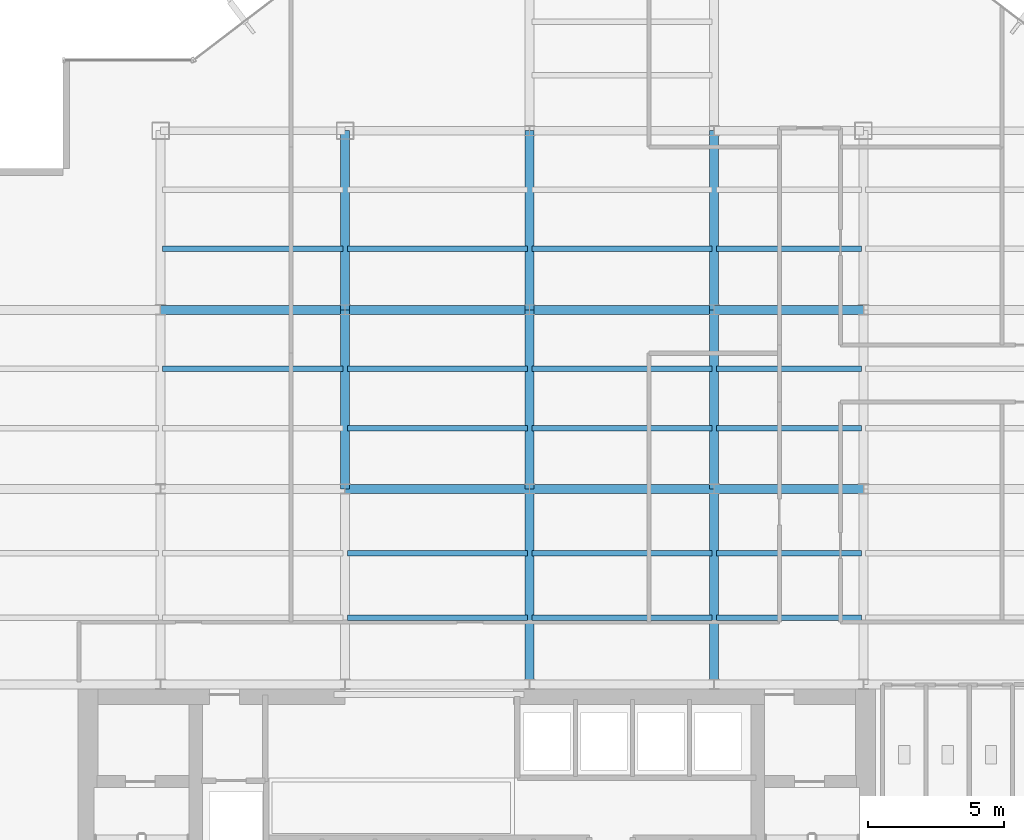
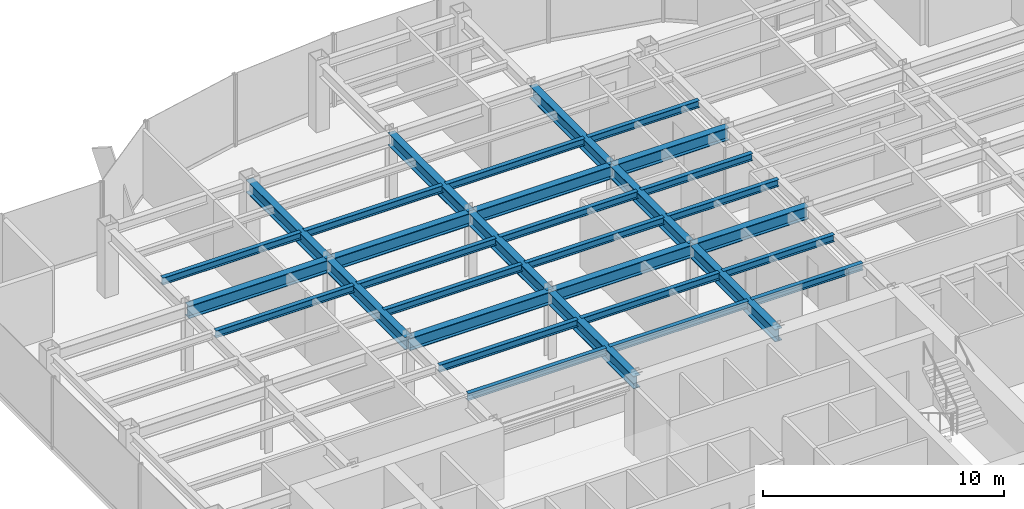
# One storey, part 8 of 25: 32 beams.
"""IFC4 building model written with IfcOpenShell, lengths in metres."""

from ifc_helpers import new_model, si_unit, derived_unit, direction, frame, origin, origin_2d, place, context, subcontext, project, spatial, i_section, extrude, source, transform, mapped, material, material_profile, profile_set, type_object, element, save


model = new_model("IFC4")

# Units and contexts
model_context = context("Model", 3, precision=1e-05, world=origin(), true_north=direction((0.0, 1.0)))
body_context = subcontext(model_context, "Body", "Model", "MODEL_VIEW")
ifc_project = project(units=[si_unit("LENGTHUNIT", "METRE"), si_unit("AREAUNIT", "SQUARE_METRE"), si_unit("VOLUMEUNIT", "CUBIC_METRE"), si_unit("PLANEANGLEUNIT", "RADIAN"), si_unit("MASSUNIT", "GRAM", prefix="KILO"), derived_unit("THERMALTRANSMITTANCEUNIT", [(si_unit("POWERUNIT", "WATT"), 1), (si_unit("LENGTHUNIT", "METRE"), -2), (si_unit("THERMODYNAMICTEMPERATUREUNIT", "KELVIN"), -1)])], contexts=[model_context])

# Site, building, storey
site_placement = place(None, origin())
site = spatial("IfcSite", under=ifc_project, at=site_placement, CompositionType="ELEMENT")
building_placement = place(site_placement, origin())
building = spatial("IfcBuilding", under=site, at=building_placement, Name="Skarnbrae Concourse Arena and Tower", CompositionType="ELEMENT")
storey_placement = place(building_placement, frame((0.0, 0.0, 166.14990234375)))
storey = spatial("IfcBuildingStorey", under=building, at=storey_placement, Name="L42", CompositionType="ELEMENT", Elevation=166.14990234375)

# Beams
ifc_material = material(Name="Steel CSA G40.21 350W", Category="steel")
ifc_material_profile_1 = material_profile(ifc_material, i_section(OverallWidth=0.3291015625, OverallDepth=0.635009765625, WebThickness=0.017822265625, FlangeThickness=0.031005859375, at=origin_2d()), Name="W610X241")
ifc_profile_set_1 = profile_set([ifc_material_profile_1], Name="Steel CSA G40.21 350W")
beam_type_1 = type_object("IfcBeamType", Name="BM-GIRD-W610X241", PredefinedType="BEAM", material=ifc_profile_set_1)
shared_shape_1 = source(origin(), body_context, "Body", "SweptSolid", [
    extrude(i_section(OverallWidth=0.3291015625, OverallDepth=0.635009765625, WebThickness=0.017822265625, FlangeThickness=0.031005859375, at=origin_2d()), origin(), (0.0, 0.0, 1.0), 6.60009765625),
])
for number, where, z_axis, x_axis, name in (
    (1, (14.39990234375, 21.199951171875, 3.08251953125), (0.0, 1.0, 0.0), (-1.0, 0.0, 0.0), "L42 Primary N-S girder X14.4-2"),
    (2, (21.199951171875, 21.199951171875, 3.08251953125), (0.0, 1.0, 0.0), (-1.0, 0.0, 0.0), "L42 Primary N-S girder X21.2-2"),
    (3, (28.0, 21.199951171875, 3.08251953125), (0.0, 1.0, 0.0), (-1.0, 0.0, 0.0), "L42 Primary N-S girder X28.0-2"),
):
    element("IfcBeam", number, at=place(storey_placement, frame(where, z_axis=z_axis, x_axis=x_axis)), inside=storey, type_object=beam_type_1, Name=name, PredefinedType="BEAM", context=body_context, shape_type="MappedRepresentation", body=[
        mapped(shared_shape_1, transform((0.0, 0.0, 0.0))),
    ])
shared_shape_2 = source(origin(), body_context, "Body", "SweptSolid", [
    extrude(i_section(OverallWidth=0.3291015625, OverallDepth=0.635009765625, WebThickness=0.017822265625, FlangeThickness=0.031005859375, at=origin_2d()), origin(), (0.0, 0.0, 1.0), 6.7998046875),
])
beam_placement = place(storey_placement, frame((7.60009765625, 27.800048828125, 3.08251953125), z_axis=(1.0, 0.0, 0.0), x_axis=(0.0, 1.0, 0.0)))
element("IfcBeam", 4, at=beam_placement, inside=storey, type_object=beam_type_1, Name="L42 Primary E-W girder Y27.8-2", PredefinedType="BEAM", context=body_context, shape_type="MappedRepresentation", body=[
    mapped(shared_shape_2, transform((0.0, 0.0, 0.0))),
])
shared_shape_3 = source(origin(), body_context, "Body", "SweptSolid", [
    extrude(i_section(OverallWidth=0.3291015625, OverallDepth=0.635009765625, WebThickness=0.017822265625, FlangeThickness=0.031005859375, at=origin_2d()), origin(), (0.0, 0.0, 1.0), 6.800048828125),
])
for number, where, z_axis, x_axis, name in (
    (5, (14.39990234375, 21.199951171875, 3.08251953125), (1.0, 0.0, 0.0), (0.0, 1.0, 0.0), "L42 Primary E-W girder Y21.2-3"),
    (6, (21.199951171875, 21.199951171875, 3.08251953125), (1.0, 0.0, 0.0), (0.0, 1.0, 0.0), "L42 Primary E-W girder Y21.2-4"),
    (7, (14.39990234375, 27.800048828125, 3.08251953125), (1.0, 0.0, 0.0), (0.0, 1.0, 0.0), "L42 Primary E-W girder Y27.8-3"),
    (8, (21.199951171875, 27.800048828125, 3.08251953125), (1.0, 0.0, 0.0), (0.0, 1.0, 0.0), "L42 Primary E-W girder Y27.8-4"),
):
    element("IfcBeam", number, at=place(storey_placement, frame(where, z_axis=z_axis, x_axis=x_axis)), inside=storey, type_object=beam_type_1, Name=name, PredefinedType="BEAM", context=body_context, shape_type="MappedRepresentation", body=[
        mapped(shared_shape_3, transform((0.0, 0.0, 0.0))),
    ])
shared_shape_4 = source(origin(), body_context, "Body", "SweptSolid", [
    extrude(i_section(OverallWidth=0.3291015625, OverallDepth=0.635009765625, WebThickness=0.017822265625, FlangeThickness=0.031005859375, at=origin_2d()), origin(), (0.0, 0.0, 1.0), 5.5),
])
for number, where, z_axis, x_axis, name in (
    (9, (28.0, 21.199951171875, 3.08251953125), (1.0, 0.0, 0.0), (0.0, 1.0, 0.0), "L42 Primary E-W girder Y21.2-5"),
    (10, (28.0, 27.800048828125, 3.08251953125), (1.0, 0.0, 0.0), (0.0, 1.0, 0.0), "L42 Primary E-W girder Y27.8-5"),
):
    element("IfcBeam", number, at=place(storey_placement, frame(where, z_axis=z_axis, x_axis=x_axis)), inside=storey, type_object=beam_type_1, Name=name, PredefinedType="BEAM", context=body_context, shape_type="MappedRepresentation", body=[
        mapped(shared_shape_4, transform((0.0, 0.0, 0.0))),
    ])
shared_shape_5 = source(origin(), body_context, "Body", "SweptSolid", [
    extrude(i_section(OverallWidth=0.3291015625, OverallDepth=0.635009765625, WebThickness=0.017822265625, FlangeThickness=0.031005859375, at=origin_2d()), origin(), (0.0, 0.0, 1.0), 7.199951171875),
])
for number, where, z_axis, x_axis, name in (
    (11, (21.199951171875, 14.0, 3.08251953125), (0.0, 1.0, 0.0), (-1.0, 0.0, 0.0), "L42 Primary N-S girder X21.2-1"),
    (12, (28.0, 14.0, 3.08251953125), (0.0, 1.0, 0.0), (-1.0, 0.0, 0.0), "L42 Primary N-S girder X28.0-1"),
):
    element("IfcBeam", number, at=place(storey_placement, frame(where, z_axis=z_axis, x_axis=x_axis)), inside=storey, type_object=beam_type_1, Name=name, PredefinedType="BEAM", context=body_context, shape_type="MappedRepresentation", body=[
        mapped(shared_shape_5, transform((0.0, 0.0, 0.0))),
    ])
shared_shape_6 = source(origin(), body_context, "Body", "SweptSolid", [
    extrude(i_section(OverallWidth=0.3291015625, OverallDepth=0.635009765625, WebThickness=0.017822265625, FlangeThickness=0.031005859375, at=origin_2d()), origin(), (0.0, 0.0, 1.0), 6.599853515625),
])
for number, where, z_axis, x_axis, name in (
    (13, (14.39990234375, 27.800048828125, 3.08251953125), (0.0, 1.0, 0.0), (-1.0, 0.0, 0.0), "L42 Primary N-S girder X14.4-3"),
    (14, (21.199951171875, 27.800048828125, 3.08251953125), (0.0, 1.0, 0.0), (-1.0, 0.0, 0.0), "L42 Primary N-S girder X21.2-3"),
    (15, (28.0, 27.800048828125, 3.08251953125), (0.0, 1.0, 0.0), (-1.0, 0.0, 0.0), "L42 Primary N-S girder X28.0-3"),
):
    element("IfcBeam", number, at=place(storey_placement, frame(where, z_axis=z_axis, x_axis=x_axis)), inside=storey, type_object=beam_type_1, Name=name, PredefinedType="BEAM", context=body_context, shape_type="MappedRepresentation", body=[
        mapped(shared_shape_6, transform((0.0, 0.0, 0.0))),
    ])
ifc_material_profile_2 = material_profile(ifc_material, i_section(OverallWidth=0.205078125, OverallDepth=0.35400390625, WebThickness=0.009521484375, FlangeThickness=0.016845703125, at=origin_2d()), Name="W360X79")
ifc_profile_set_2 = profile_set([ifc_material_profile_2], Name="Steel CSA G40.21 350W")
beam_type_2 = type_object("IfcBeamType", Name="BM-JOIST-W360X79", PredefinedType="JOIST", material=ifc_profile_set_2)
shared_shape_7 = source(origin(), body_context, "Body", "SweptSolid", [
    extrude(i_section(OverallWidth=0.205078125, OverallDepth=0.35400390625, WebThickness=0.009521484375, FlangeThickness=0.016845703125, at=origin_2d()), origin(), (0.0, 0.0, 1.0), 6.64013671875),
])
for number, where, z_axis, x_axis, name in (
    (16, (14.47998046875, 16.447998046875, 3.22314453125), (1.0, 0.0, 0.0), (0.0, 1.0, 0.0), "L42 Secondary floor joist 1.1.3"),
    (17, (14.47998046875, 18.823974609375, 3.22314453125), (1.0, 0.0, 0.0), (0.0, 1.0, 0.0), "L42 Secondary floor joist 1.2.3"),
    (18, (14.47998046875, 23.444091796875, 3.22314453125), (1.0, 0.0, 0.0), (0.0, 1.0, 0.0), "L42 Secondary floor joist 2.1.3"),
    (19, (7.679931640625, 25.6220703125, 3.22314453125), (1.0, 0.0, 0.0), (0.0, 1.0, 0.0), "L42 Secondary floor joist 2.2.2"),
    (20, (14.47998046875, 25.6220703125, 3.22314453125), (1.0, 0.0, 0.0), (0.0, 1.0, 0.0), "L42 Secondary floor joist 2.2.3"),
    (21, (7.679931640625, 30.0439453125, 3.22314453125), (1.0, 0.0, 0.0), (0.0, 1.0, 0.0), "L42 Secondary floor joist 3.1.1"),
    (22, (14.47998046875, 30.0439453125, 3.22314453125), (1.0, 0.0, 0.0), (0.0, 1.0, 0.0), "L42 Secondary floor joist 3.1.2"),
):
    element("IfcBeam", number, at=place(storey_placement, frame(where, z_axis=z_axis, x_axis=x_axis)), inside=storey, type_object=beam_type_2, Name=name, PredefinedType="JOIST", context=body_context, shape_type="MappedRepresentation", body=[
        mapped(shared_shape_7, transform((0.0, 0.0, 0.0))),
    ])
shared_shape_8 = source(origin(), body_context, "Body", "SweptSolid", [
    extrude(i_section(OverallWidth=0.205078125, OverallDepth=0.35400390625, WebThickness=0.009521484375, FlangeThickness=0.016845703125, at=origin_2d()), origin(), (0.0, 0.0, 1.0), 6.639892578125),
])
for number, where, z_axis, x_axis, name in (
    (23, (21.280029296875, 16.447998046875, 3.22314453125), (1.0, 0.0, 0.0), (0.0, 1.0, 0.0), "L42 Secondary floor joist 1.1.4"),
    (24, (21.280029296875, 18.823974609375, 3.22314453125), (1.0, 0.0, 0.0), (0.0, 1.0, 0.0), "L42 Secondary floor joist 1.2.4"),
    (25, (21.280029296875, 23.444091796875, 3.22314453125), (1.0, 0.0, 0.0), (0.0, 1.0, 0.0), "L42 Secondary floor joist 2.1.4"),
    (26, (21.280029296875, 25.6220703125, 3.22314453125), (1.0, 0.0, 0.0), (0.0, 1.0, 0.0), "L42 Secondary floor joist 2.2.4"),
    (27, (21.280029296875, 30.0439453125, 3.22314453125), (1.0, 0.0, 0.0), (0.0, 1.0, 0.0), "L42 Secondary floor joist 3.1.3"),
):
    element("IfcBeam", number, at=place(storey_placement, frame(where, z_axis=z_axis, x_axis=x_axis)), inside=storey, type_object=beam_type_2, Name=name, PredefinedType="JOIST", context=body_context, shape_type="MappedRepresentation", body=[
        mapped(shared_shape_8, transform((0.0, 0.0, 0.0))),
    ])
shared_shape_9 = source(origin(), body_context, "Body", "SweptSolid", [
    extrude(i_section(OverallWidth=0.205078125, OverallDepth=0.35400390625, WebThickness=0.009521484375, FlangeThickness=0.016845703125, at=origin_2d()), origin(), (0.0, 0.0, 1.0), 5.33984375),
])
for number, where, z_axis, x_axis, name in (
    (28, (28.080078125, 16.447998046875, 3.22314453125), (1.0, 0.0, 0.0), (0.0, 1.0, 0.0), "L42 Secondary floor joist 1.1.5"),
    (29, (28.080078125, 18.823974609375, 3.22314453125), (1.0, 0.0, 0.0), (0.0, 1.0, 0.0), "L42 Secondary floor joist 1.2.5"),
    (30, (28.080078125, 23.444091796875, 3.22314453125), (1.0, 0.0, 0.0), (0.0, 1.0, 0.0), "L42 Secondary floor joist 2.1.5"),
    (31, (28.080078125, 25.6220703125, 3.22314453125), (1.0, 0.0, 0.0), (0.0, 1.0, 0.0), "L42 Secondary floor joist 2.2.5"),
    (32, (28.080078125, 30.0439453125, 3.22314453125), (1.0, 0.0, 0.0), (0.0, 1.0, 0.0), "L42 Secondary floor joist 3.1.4"),
):
    element("IfcBeam", number, at=place(storey_placement, frame(where, z_axis=z_axis, x_axis=x_axis)), inside=storey, type_object=beam_type_2, Name=name, PredefinedType="JOIST", context=body_context, shape_type="MappedRepresentation", body=[
        mapped(shared_shape_9, transform((0.0, 0.0, 0.0))),
    ])

save(model, "model.ifc")
